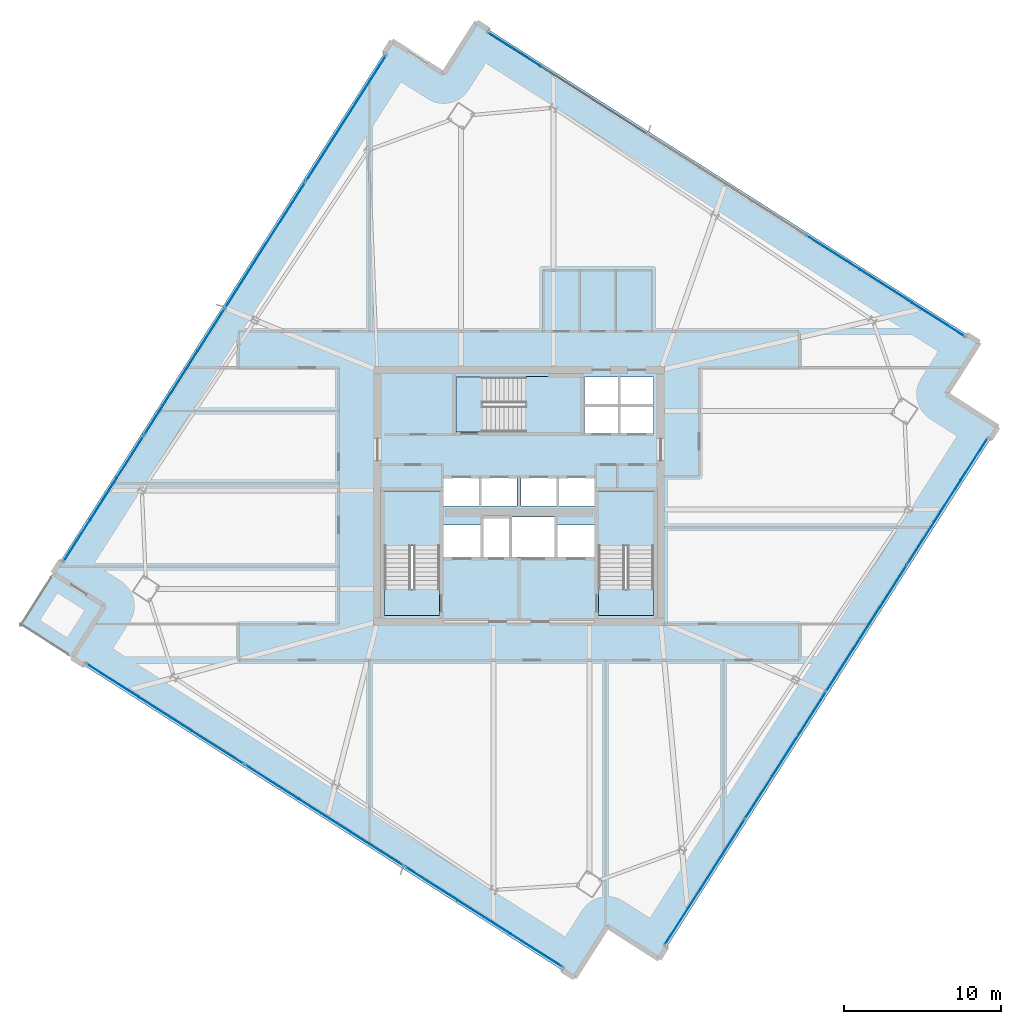
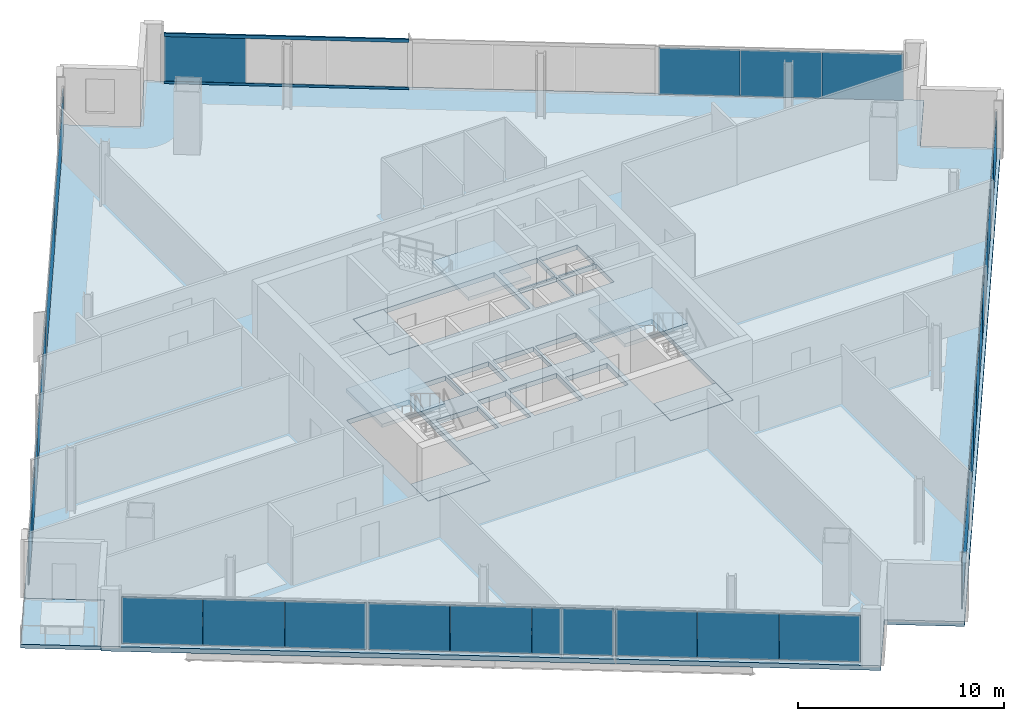
# One storey, part 21 of 30: 31 plates, 8 slabs, 2 members, 7 elements without a shape of their own.
"""IFC4 building model written with IfcOpenShell, lengths in metres."""

from ifc_helpers import new_model, si_unit, direction, frame, origin, origin_2d, place, context, subcontext, project, spatial, polyline, rectangle, hollow_rectangle, outline, extrude, source, transform, mapped, material, layer, layer_set, material_profile, profile_set, type_object, element, aggregate, save


model = new_model("IFC4")

# Units and contexts
model_context = context("Model", 3, precision=1e-05, world=origin(), true_north=direction((0.0, 1.0)))
body_context = subcontext(model_context, "Body", "Model", "MODEL_VIEW")
ifc_project = project(units=[si_unit("LENGTHUNIT", "METRE"), si_unit("AREAUNIT", "SQUARE_METRE"), si_unit("VOLUMEUNIT", "CUBIC_METRE"), si_unit("PLANEANGLEUNIT", "RADIAN"), si_unit("MASSUNIT", "GRAM", prefix="KILO")], contexts=[model_context])

# Site, building, storey
site_placement = place(None, origin())
site = spatial("IfcSite", under=ifc_project, at=site_placement, CompositionType="ELEMENT")
building_placement = place(site_placement, origin())
building = spatial("IfcBuilding", under=site, at=building_placement, Name="Haldenkirk Collegiate Tower", CompositionType="ELEMENT")
storey_placement = place(building_placement, frame((0.0, 0.0, 220.949951171875)))
storey = spatial("IfcBuildingStorey", under=building, at=storey_placement, Name="L55", CompositionType="ELEMENT", Elevation=220.949951171875)

# Curtain wall, members
ifc_material_1 = material(Name="Anodised architectural bronze aluminium", Category="aluminium")
curtain_wall_type_1 = type_object("IfcCurtainWallType", Name="CW-SYS1B-CONVEX-HI", PredefinedType="USERDEFINED", material=ifc_material_1)
curtain_wall_1_placement = place(storey_placement, origin())
curtain_wall_1 = element("IfcCurtainWall", 1, at=curtain_wall_1_placement, inside=storey, type_object=curtain_wall_type_1, Name="L55 Upper tower high-wind convex bronze unitised curtain wall", ObjectType="UNITISED CURTAIN WALL", PredefinedType="USERDEFINED")
ifc_material_profile = material_profile(ifc_material_1, hollow_rectangle(XDim=0.0849609375, YDim=0.199951171875, WallThickness=0.0048828125, at=origin_2d()), Name="CW-TRN-1B")
ifc_profile_set = profile_set([ifc_material_profile], Name="Anodised architectural bronze aluminium")
member_type = type_object("IfcMemberType", Name="CW-TRN-1B", PredefinedType="USERDEFINED", material=ifc_profile_set)
member_1_placement = place(storey_placement, frame((34.0419921875, 55.431396484375, 0.04248046875), z_axis=(0.843387612037, -0.537305626121, 0.0), x_axis=(0.537305626121, 0.843387612037, 0.0)))
member_1 = element("IfcMember", 2, at=member_1_placement, type_object=member_type, Name="CW-1B transom 1.1", ObjectType="TRANSOM", PredefinedType="USERDEFINED", context=body_context, shape_type="SweptSolid", body=[
    extrude(hollow_rectangle(XDim=0.0849609375, YDim=0.199951171875, WallThickness=0.0048828125, at=origin_2d()), origin(), (0.0, 0.0, 1.0), 11.8974609375),
])
member_2_placement = place(storey_placement, frame((34.0419921875, 55.431396484375, 2.885498046875), z_axis=(0.843387612037, -0.537305626121, 0.0), x_axis=(0.537305626121, 0.843387612037, 0.0)))
member_2 = element("IfcMember", 3, at=member_2_placement, type_object=member_type, Name="CW-1B transom 1.2", ObjectType="TRANSOM", PredefinedType="USERDEFINED", context=body_context, shape_type="SweptSolid", body=[
    extrude(hollow_rectangle(XDim=0.0849609375, YDim=0.199951171875, WallThickness=0.0048828125, at=origin_2d()), origin(), (0.0, 0.0, 1.0), 11.8974609375),
])

# Slab
ifc_material_2 = material(Name="Concrete f'c 40 MPa", Category="concrete")
ifc_layer_1 = layer(ifc_material_2, 0.280029296875)
ifc_layer_set_1 = layer_set([ifc_layer_1], Name="Concrete f'c 40 MPa")
slab_type_1 = type_object("IfcSlabType", Name="SLB-FLR-280", PredefinedType="FLOOR", material=ifc_layer_set_1)
slab_1_placement = place(storey_placement, frame((0.0, 0.0, -0.280029296875)))
element("IfcSlab", 4, at=slab_1_placement, inside=storey, type_object=slab_type_1, Name="L55 composite structural floor slab", PredefinedType="FLOOR", context=body_context, shape_type="SweptSolid", body=[
    extrude(outline(polyline([(44.899169921875, -3.4423828125), (66.445068359375, 30.37744140625), (63.15576171875, 32.472900390625), (65.251220703125, 35.76220703125), (33.307861328125, 56.1123046875), (31.21240234375, 52.8232421875), (27.923095703125, 54.918701171875), (6.377197265625, 21.0986328125), (9.66650390625, 19.003173828125), (7.571044921875, 15.714111328125), (39.5146484375, -4.63623046875), (41.610107421875, -1.346923828125), (44.899169921875, -3.4423828125)]), holes=[polyline([(27.449951171875, 18.39990234375), (30.949951171875, 18.39990234375), (30.949951171875, 26.300048828125), (27.449951171875, 26.300048828125), (27.449951171875, 18.39990234375)]), polyline([(41.050048828125, 18.39990234375), (44.550048828125, 18.39990234375), (44.550048828125, 26.300048828125), (41.050048828125, 26.300048828125), (41.050048828125, 18.39990234375)]), polyline([(32.0, 30.050048828125), (39.89990234375, 30.050048828125), (39.89990234375, 33.550048828125), (32.0, 33.550048828125), (32.0, 30.050048828125)]), polyline([(33.75, 22.10009765625), (35.35009765625, 22.10009765625), (35.35009765625, 24.550048828125), (33.75, 24.550048828125), (33.75, 22.10009765625)]), polyline([(40.14990234375, 29.949951171875), (42.320068359375, 29.949951171875), (42.320068359375, 31.699951171875), (40.14990234375, 31.699951171875), (40.14990234375, 29.949951171875)]), polyline([(42.419921875, 29.949951171875), (44.550048828125, 29.949951171875), (44.550048828125, 31.699951171875), (42.419921875, 31.699951171875), (42.419921875, 29.949951171875)]), polyline([(40.14990234375, 31.800048828125), (42.320068359375, 31.800048828125), (42.320068359375, 33.550048828125), (40.14990234375, 33.550048828125), (40.14990234375, 31.800048828125)]), polyline([(42.419921875, 31.800048828125), (44.550048828125, 31.800048828125), (44.550048828125, 33.550048828125), (42.419921875, 33.550048828125), (42.419921875, 31.800048828125)]), polyline([(31.199951171875, 25.35009765625), (33.47998046875, 25.35009765625), (33.47998046875, 27.14990234375), (31.199951171875, 27.14990234375), (31.199951171875, 25.35009765625)]), polyline([(33.60009765625, 25.35009765625), (35.8798828125, 25.35009765625), (35.8798828125, 27.14990234375), (33.60009765625, 27.14990234375), (33.60009765625, 25.35009765625)]), polyline([(36.1201171875, 25.35009765625), (38.39990234375, 25.35009765625), (38.39990234375, 27.14990234375), (36.1201171875, 27.14990234375), (36.1201171875, 25.35009765625)]), polyline([(38.52001953125, 25.35009765625), (40.800048828125, 25.35009765625), (40.800048828125, 27.14990234375), (38.52001953125, 27.14990234375), (38.52001953125, 25.35009765625)]), polyline([(31.199951171875, 22.10009765625), (33.550048828125, 22.10009765625), (33.550048828125, 24.14990234375), (31.199951171875, 24.14990234375), (31.199951171875, 22.10009765625)]), polyline([(38.449951171875, 22.10009765625), (40.800048828125, 22.10009765625), (40.800048828125, 24.14990234375), (38.449951171875, 24.14990234375), (38.449951171875, 22.10009765625)]), polyline([(35.550048828125, 22.10009765625), (38.25, 22.10009765625), (38.25, 24.64990234375), (35.550048828125, 24.64990234375), (35.550048828125, 22.10009765625)])]), origin(), (0.0, 0.0, 1.0), 0.280029296875),
])

# Stair, slab
stair_type = type_object("IfcStairType", Name="STR-DOGLEG-1650", PredefinedType="HALF_TURN_STAIR", material=ifc_material_2)
stair_1_placement = place(storey_placement, origin())
stair_1 = element("IfcStair", 5, at=stair_1_placement, inside=storey, type_object=stair_type, Name="L55 Core Exit Stair ST-1", PredefinedType="HALF_TURN_STAIR")
ifc_layer_2 = layer(ifc_material_2, 0.199951171875)
ifc_layer_set_2 = layer_set([ifc_layer_2], Name="Concrete f'c 40 MPa")
slab_type_2 = type_object("IfcSlabType", Name="SLB-LANDING-200", PredefinedType="LANDING", material=ifc_layer_set_2)
slab_2_placement = place(storey_placement, frame((0.0, 0.0, 1.675048828125)))
slab_2 = element("IfcSlab", 6, at=slab_2_placement, type_object=slab_type_2, Name="ST-1 landing 1", PredefinedType="LANDING", context=body_context, shape_type="SweptSolid", body=[
    extrude(outline(polyline([(30.97509765625, 22.824951171875), (27.425048828125, 22.824951171875), (27.425048828125, 26.324951171875), (30.97509765625, 26.324951171875), (30.97509765625, 22.824951171875)])), origin(), (0.0, 0.0, 1.0), 0.199951171875),
])
aggregate(stair_1, [slab_2])

stair_2_placement = place(storey_placement, origin())
stair_2 = element("IfcStair", 7, at=stair_2_placement, inside=storey, type_object=stair_type, Name="L55 Core Exit Stair ST-2", PredefinedType="HALF_TURN_STAIR")
slab_3_placement = place(storey_placement, frame((0.0, 0.0, 1.675048828125)))
slab_3 = element("IfcSlab", 8, at=slab_3_placement, type_object=slab_type_2, Name="ST-2 landing 1", PredefinedType="LANDING", context=body_context, shape_type="SweptSolid", body=[
    extrude(outline(polyline([(44.574951171875, 22.824951171875), (41.02490234375, 22.824951171875), (41.02490234375, 26.324951171875), (44.574951171875, 26.324951171875), (44.574951171875, 22.824951171875)])), origin(), (0.0, 0.0, 1.0), 0.199951171875),
])
aggregate(stair_2, [slab_3])

stair_3_placement = place(storey_placement, origin())
stair_3 = element("IfcStair", 9, at=stair_3_placement, inside=storey, type_object=stair_type, Name="L55 Core Exit Stair ST-3", PredefinedType="HALF_TURN_STAIR")
slab_4_placement = place(storey_placement, frame((0.0, 0.0, 1.675048828125)))
slab_4 = element("IfcSlab", 10, at=slab_4_placement, type_object=slab_type_2, Name="ST-3 landing 1", PredefinedType="LANDING", context=body_context, shape_type="SweptSolid", body=[
    extrude(outline(polyline([(36.425048828125, 30.02490234375), (36.425048828125, 33.574951171875), (39.925048828125, 33.574951171875), (39.925048828125, 30.02490234375), (36.425048828125, 30.02490234375)])), origin(), (0.0, 0.0, 1.0), 0.199951171875),
])
aggregate(stair_3, [slab_4])

# Slabs
ifc_layer_3 = layer(ifc_material_2, 0.25)
ifc_layer_set_3 = layer_set([ifc_layer_3], Name="Concrete f'c 40 MPa")
slab_type_3 = type_object("IfcSlabType", Name="SLB-STAIRLAND-250", PredefinedType="LANDING", material=ifc_layer_set_3)
slab_5_placement = place(storey_placement, frame((0.0, 0.0, -0.25)))
element("IfcSlab", 11, at=slab_5_placement, inside=storey, type_object=slab_type_3, Name="L55 stair ST1 structural floor landing slab", PredefinedType="LANDING", context=body_context, shape_type="SweptSolid", body=[
    extrude(outline(polyline([(27.4599609375, 18.409912109375), (30.93994140625, 18.409912109375), (30.93994140625, 20.080078125), (27.4599609375, 20.080078125), (27.4599609375, 18.409912109375)])), origin(), (0.0, 0.0, 1.0), 0.25),
])
slab_6_placement = place(storey_placement, frame((0.0, 0.0, -0.25)))
element("IfcSlab", 12, at=slab_6_placement, inside=storey, type_object=slab_type_3, Name="L55 stair ST2 structural floor landing slab", PredefinedType="LANDING", context=body_context, shape_type="SweptSolid", body=[
    extrude(outline(polyline([(41.06005859375, 18.409912109375), (44.5400390625, 18.409912109375), (44.5400390625, 20.080078125), (41.06005859375, 20.080078125), (41.06005859375, 18.409912109375)])), origin(), (0.0, 0.0, 1.0), 0.25),
])
slab_7_placement = place(storey_placement, frame((0.0, 0.0, -0.25)))
element("IfcSlab", 13, at=slab_7_placement, inside=storey, type_object=slab_type_3, Name="L55 stair ST3 structural floor landing slab", PredefinedType="LANDING", context=body_context, shape_type="SweptSolid", body=[
    extrude(outline(polyline([(32.010009765625, 30.06005859375), (33.679931640625, 30.06005859375), (33.679931640625, 33.5400390625), (32.010009765625, 33.5400390625), (32.010009765625, 30.06005859375)])), origin(), (0.0, 0.0, 1.0), 0.25),
])
ifc_layer_4 = layer(ifc_material_2, 0.22998046875)
ifc_layer_set_4 = layer_set([ifc_layer_4], Name="Concrete f'c 40 MPa")
slab_type_4 = type_object("IfcSlabType", Name="SLB-TERR-SPIRAL-230", PredefinedType="FLOOR", material=ifc_layer_set_4)
slab_8_placement = place(storey_placement, frame((0.0, 0.0, -0.22998046875)))
element("IfcSlab", 14, at=slab_8_placement, inside=storey, type_object=slab_type_4, Name="L55 spiralling corner terrace slab", PredefinedType="FLOOR", context=body_context, shape_type="SweptSolid", body=[
    extrude(outline(polyline([(7.571044921875, 15.714111328125), (9.66650390625, 19.003173828125), (6.377197265625, 21.0986328125), (4.281982421875, 17.809326171875), (7.571044921875, 15.714111328125)])), origin(), (0.0, 0.0, 1.0), 0.22998046875),
])

# Curtain wall, plates
curtain_wall_type_2 = type_object("IfcCurtainWallType", Name="CW-SYS2-CONCAVE", PredefinedType="USERDEFINED", material=ifc_material_1)
curtain_wall_2_placement = place(storey_placement, origin())
curtain_wall_2 = element("IfcCurtainWall", 15, at=curtain_wall_2_placement, inside=storey, type_object=curtain_wall_type_2, Name="L55 South concave recessed bronze-anodised curtain wall", ObjectType="UNITISED CURTAIN WALL", PredefinedType="USERDEFINED")
ifc_material_3 = material(Name="Low-E argon triple insulating glass", Category="glass")
ifc_layer_5 = layer(ifc_material_3, 0.0419921875)
ifc_layer_set_5 = layer_set([ifc_layer_5], Name="Low-E argon triple insulating glass")
plate_type_1 = type_object("IfcPlateType", Name="CW-PNL-02", PredefinedType="CURTAIN_PANEL", material=ifc_layer_set_5)
shared_shape_1 = source(origin(), body_context, "Body", "SweptSolid", [
    extrude(rectangle(XDim=3.1416015625, YDim=0.0419921875, at=origin_2d()), origin(), (0.0, 0.0, 1.0), 2.778076171875),
])
plate_1_placement = place(storey_placement, frame((64.92529296875, 28.326904296875, 0.0751953125), z_axis=(0.0, 0.0, 1.0), x_axis=(-0.5373011656, -0.843390453731, 0.0)))
plate_1 = element("IfcPlate", 16, at=plate_1_placement, type_object=plate_type_1, Name="CW-02 panel 1.1a", PredefinedType="CURTAIN_PANEL", context=body_context, shape_type="MappedRepresentation", body=[
    mapped(shared_shape_1, transform((0.0, 0.0, 0.0), x_axis=(1.0, 0.0, 0.0), y_axis=(0.0, 1.0, 0.0), z_axis=(0.0, 0.0, 1.0), scale=1.0)),
])
ifc_material_4 = material(Name="Bronze-anodised insulated aluminium spandrel panel", Category="aluminium")
ifc_layer_6 = layer(ifc_material_4, 0.0419921875)
ifc_layer_set_6 = layer_set([ifc_layer_6], Name="Bronze-anodised insulated aluminium spandrel panel")
plate_type_2 = type_object("IfcPlateType", Name="CW-SPD-02", PredefinedType="CURTAIN_PANEL", material=ifc_layer_set_6)
plate_2_placement = place(storey_placement, frame((61.529052734375, 22.99609375, 0.0751953125), z_axis=(0.0, 0.0, 1.0), x_axis=(-0.5373011656, -0.843390453731, 0.0)))
plate_2 = element("IfcPlate", 17, at=plate_2_placement, type_object=plate_type_2, Name="CW-02 spandrel panel 1.1c", PredefinedType="CURTAIN_PANEL", context=body_context, shape_type="MappedRepresentation", body=[
    mapped(shared_shape_1, transform((0.0, 0.0, 0.0), x_axis=(1.0, 0.0, 0.0), y_axis=(0.0, 1.0, 0.0), z_axis=(0.0, 0.0, 1.0), scale=1.0)),
])
plate_3_placement = place(storey_placement, frame((58.092529296875, 17.601806640625, 0.0751953125), z_axis=(0.0, 0.0, 1.0), x_axis=(-0.5373011656, -0.843390453731, 0.0)))
plate_3 = element("IfcPlate", 18, at=plate_3_placement, type_object=plate_type_1, Name="CW-02 panel 2.1b", PredefinedType="CURTAIN_PANEL", context=body_context, shape_type="MappedRepresentation", body=[
    mapped(shared_shape_1, transform((0.0, 0.0, 0.0), x_axis=(1.0, 0.0, 0.0), y_axis=(0.0, 1.0, 0.0), z_axis=(0.0, 0.0, 1.0), scale=1.0)),
])
plate_4_placement = place(storey_placement, frame((52.947998046875, 9.526611328125, 0.0751953125), z_axis=(0.0, 0.0, 1.0), x_axis=(-0.5373011656, -0.843390453731, 0.0)))
plate_4 = element("IfcPlate", 19, at=plate_4_placement, type_object=plate_type_2, Name="CW-02 spandrel panel 3.1b", PredefinedType="CURTAIN_PANEL", context=body_context, shape_type="MappedRepresentation", body=[
    mapped(shared_shape_1, transform((0.0, 0.0, 0.0), x_axis=(1.0, 0.0, 0.0), y_axis=(0.0, 1.0, 0.0), z_axis=(0.0, 0.0, 1.0), scale=1.0)),
])
shared_shape_2 = source(origin(), body_context, "Body", "SweptSolid", [
    extrude(rectangle(XDim=3.129150390625, YDim=0.0419921875, at=origin_2d()), origin(), (0.0, 0.0, 1.0), 2.778076171875),
])
plate_5_placement = place(storey_placement, frame((63.227294921875, 25.66162109375, 0.0751953125), z_axis=(0.0, 0.0, 1.0), x_axis=(-0.5373011656, -0.843390453731, 0.0)))
plate_5 = element("IfcPlate", 20, at=plate_5_placement, type_object=plate_type_1, Name="CW-02 panel 1.1b", PredefinedType="CURTAIN_PANEL", context=body_context, shape_type="MappedRepresentation", body=[
    mapped(shared_shape_2, transform((0.0, 0.0, 0.0), x_axis=(1.0, 0.0, 0.0), y_axis=(0.0, 1.0, 0.0), z_axis=(0.0, 0.0, 1.0), scale=1.0)),
])
shared_shape_3 = source(origin(), body_context, "Body", "SweptSolid", [
    extrude(rectangle(XDim=3.154296875, YDim=0.0419921875, at=origin_2d()), origin(), (0.0, 0.0, 1.0), 2.778076171875),
])
plate_6_placement = place(storey_placement, frame((59.79736328125, 20.27783203125, 0.0751953125), z_axis=(0.0, 0.0, 1.0), x_axis=(-0.5373011656, -0.843390453731, 0.0)))
plate_6 = element("IfcPlate", 21, at=plate_6_placement, type_object=plate_type_2, Name="CW-02 spandrel panel 2.1a", PredefinedType="CURTAIN_PANEL", context=body_context, shape_type="MappedRepresentation", body=[
    mapped(shared_shape_3, transform((0.0, 0.0, 0.0), x_axis=(1.0, 0.0, 0.0), y_axis=(0.0, 1.0, 0.0), z_axis=(0.0, 0.0, 1.0), scale=1.0)),
])
plate_7_placement = place(storey_placement, frame((56.3876953125, 14.92578125, 0.0751953125), z_axis=(0.0, 0.0, 1.0), x_axis=(-0.5373011656, -0.843390453731, 0.0)))
plate_7 = element("IfcPlate", 22, at=plate_7_placement, type_object=plate_type_1, Name="CW-02 panel 2.1c", PredefinedType="CURTAIN_PANEL", context=body_context, shape_type="MappedRepresentation", body=[
    mapped(shared_shape_3, transform((0.0, 0.0, 0.0), x_axis=(1.0, 0.0, 0.0), y_axis=(0.0, 1.0, 0.0), z_axis=(0.0, 0.0, 1.0), scale=1.0)),
])
plate_8_placement = place(storey_placement, frame((54.65283203125, 12.202392578125, 0.0751953125), z_axis=(0.0, 0.0, 1.0), x_axis=(-0.5373011656, -0.843390453731, 0.0)))
plate_8 = element("IfcPlate", 23, at=plate_8_placement, type_object=plate_type_2, Name="CW-02 spandrel panel 3.1a", PredefinedType="CURTAIN_PANEL", context=body_context, shape_type="MappedRepresentation", body=[
    mapped(shared_shape_3, transform((0.0, 0.0, 0.0), x_axis=(1.0, 0.0, 0.0), y_axis=(0.0, 1.0, 0.0), z_axis=(0.0, 0.0, 1.0), scale=1.0)),
])
plate_9_placement = place(storey_placement, frame((51.2431640625, 6.8505859375, 0.0751953125), z_axis=(0.0, 0.0, 1.0), x_axis=(-0.5373011656, -0.843390453731, 0.0)))
plate_9 = element("IfcPlate", 24, at=plate_9_placement, type_object=plate_type_2, Name="CW-02 spandrel panel 3.1c", PredefinedType="CURTAIN_PANEL", context=body_context, shape_type="MappedRepresentation", body=[
    mapped(shared_shape_3, transform((0.0, 0.0, 0.0), x_axis=(1.0, 0.0, 0.0), y_axis=(0.0, 1.0, 0.0), z_axis=(0.0, 0.0, 1.0), scale=1.0)),
])
shared_shape_4 = source(origin(), body_context, "Body", "SweptSolid", [
    extrude(rectangle(XDim=9.46240234375, YDim=0.0419921875, at=origin_2d()), origin(), (0.0, 0.0, 1.0), 2.778076171875),
])
plate_10_placement = place(storey_placement, frame((47.8134765625, 1.466796875, 0.0751953125), z_axis=(0.0, 0.0, 1.0), x_axis=(-0.5373011656, -0.843390453731, 0.0)))
plate_10 = element("IfcPlate", 25, at=plate_10_placement, type_object=plate_type_1, Name="CW-02 panel 4.1", PredefinedType="CURTAIN_PANEL", context=body_context, shape_type="MappedRepresentation", body=[
    mapped(shared_shape_4, transform((0.0, 0.0, 0.0), x_axis=(1.0, 0.0, 0.0), y_axis=(0.0, 1.0, 0.0), z_axis=(0.0, 0.0, 1.0), scale=1.0)),
])
aggregate(curtain_wall_2, [plate_1, plate_5, plate_2, plate_6, plate_3, plate_7, plate_8, plate_4, plate_9, plate_10])

# Plate
ifc_layer_7 = layer(ifc_material_3, 0.048095703125)
ifc_layer_set_7 = layer_set([ifc_layer_7], Name="Low-E argon triple insulating glass")
plate_type_3 = type_object("IfcPlateType", Name="CW-PNL-1B", PredefinedType="CURTAIN_PANEL", material=ifc_layer_set_7)
shared_shape_5 = source(origin(), body_context, "Body", "SweptSolid", [
    extrude(rectangle(XDim=3.953369140625, YDim=0.048095703125, at=origin_2d()), origin(), (0.0, 0.0, 1.0), 2.758056640625),
])
plate_11_placement = place(storey_placement, frame((35.708984375, 54.369384765625, 0.0849609375), z_axis=(0.0, 0.0, 1.0), x_axis=(0.843391321447, -0.537299803563, 0.0)))
plate_11 = element("IfcPlate", 26, at=plate_11_placement, type_object=plate_type_3, Name="CW-1B panel 1.1a", PredefinedType="CURTAIN_PANEL", context=body_context, shape_type="MappedRepresentation", body=[
    mapped(shared_shape_5, transform((0.0, 0.0, 0.0), x_axis=(1.0, 0.0, 0.0), y_axis=(0.0, 1.0, 0.0), z_axis=(0.0, 0.0, 1.0), scale=1.0)),
])

ifc_layer_8 = layer(ifc_material_4, 0.048095703125)
ifc_layer_set_8 = layer_set([ifc_layer_8], Name="Bronze-anodised insulated aluminium spandrel panel")
plate_type_4 = type_object("IfcPlateType", Name="CW-SPD-1B", PredefinedType="CURTAIN_PANEL", material=ifc_layer_set_8)
plate_12_placement = place(storey_placement, frame((55.95654296875, 41.47021484375, 0.0849609375), z_axis=(0.0, 0.0, 1.0), x_axis=(0.843391321447, -0.537299803563, 0.0)))
plate_12 = element("IfcPlate", 27, at=plate_12_placement, type_object=plate_type_4, Name="CW-1B spandrel panel 3.1a", PredefinedType="CURTAIN_PANEL", context=body_context, shape_type="MappedRepresentation", body=[
    mapped(shared_shape_5, transform((0.0, 0.0, 0.0), x_axis=(1.0, 0.0, 0.0), y_axis=(0.0, 1.0, 0.0), z_axis=(0.0, 0.0, 1.0), scale=1.0)),
])

plate_13_placement = place(storey_placement, frame((62.656494140625, 37.20166015625, 0.0849609375), z_axis=(0.0, 0.0, 1.0), x_axis=(0.843391321447, -0.537299803563, 0.0)))
plate_13 = element("IfcPlate", 28, at=plate_13_placement, type_object=plate_type_3, Name="CW-1B panel 3.1c", PredefinedType="CURTAIN_PANEL", context=body_context, shape_type="MappedRepresentation", body=[
    mapped(shared_shape_5, transform((0.0, 0.0, 0.0), x_axis=(1.0, 0.0, 0.0), y_axis=(0.0, 1.0, 0.0), z_axis=(0.0, 0.0, 1.0), scale=1.0)),
])

# Curtain wall, plates
curtain_wall_3_placement = place(storey_placement, origin())
curtain_wall_3 = element("IfcCurtainWall", 29, at=curtain_wall_3_placement, inside=storey, type_object=curtain_wall_type_1, Name="L55 Upper tower high-wind convex bronze unitised curtain wall", ObjectType="UNITISED CURTAIN WALL", PredefinedType="USERDEFINED")
plate_14_placement = place(storey_placement, frame((37.11328125, -2.893310546875, 0.0849609375), z_axis=(0.0, 0.0, 1.0), x_axis=(-0.843390865552, 0.537300519173, 0.0)))
plate_14 = element("IfcPlate", 30, at=plate_14_placement, type_object=plate_type_3, Name="CW-1B panel 1.1a", PredefinedType="CURTAIN_PANEL", context=body_context, shape_type="MappedRepresentation", body=[
    mapped(shared_shape_5, transform((0.0, 0.0, 0.0), x_axis=(1.0, 0.0, 0.0), y_axis=(0.0, 1.0, 0.0), z_axis=(0.0, 0.0, 1.0), scale=1.0)),
])
plate_15_placement = place(storey_placement, frame((30.413330078125, 1.375244140625, 0.0849609375), z_axis=(0.0, 0.0, 1.0), x_axis=(-0.843390865552, 0.537300519173, 0.0)))
plate_15 = element("IfcPlate", 31, at=plate_15_placement, type_object=plate_type_4, Name="CW-1B spandrel panel 1.1c", PredefinedType="CURTAIN_PANEL", context=body_context, shape_type="MappedRepresentation", body=[
    mapped(shared_shape_5, transform((0.0, 0.0, 0.0), x_axis=(1.0, 0.0, 0.0), y_axis=(0.0, 1.0, 0.0), z_axis=(0.0, 0.0, 1.0), scale=1.0)),
])
plate_16_placement = place(storey_placement, frame((16.86572265625, 10.006103515625, 0.0849609375), z_axis=(0.0, 0.0, 1.0), x_axis=(-0.843390865552, 0.537300519173, 0.0)))
plate_16 = element("IfcPlate", 32, at=plate_16_placement, type_object=plate_type_4, Name="CW-1B spandrel panel 3.1a", PredefinedType="CURTAIN_PANEL", context=body_context, shape_type="MappedRepresentation", body=[
    mapped(shared_shape_5, transform((0.0, 0.0, 0.0), x_axis=(1.0, 0.0, 0.0), y_axis=(0.0, 1.0, 0.0), z_axis=(0.0, 0.0, 1.0), scale=1.0)),
])
plate_17_placement = place(storey_placement, frame((10.165771484375, 14.2744140625, 0.0849609375), z_axis=(0.0, 0.0, 1.0), x_axis=(-0.843390865552, 0.537300519173, 0.0)))
plate_17 = element("IfcPlate", 33, at=plate_17_placement, type_object=plate_type_3, Name="CW-1B panel 3.1c", PredefinedType="CURTAIN_PANEL", context=body_context, shape_type="MappedRepresentation", body=[
    mapped(shared_shape_5, transform((0.0, 0.0, 0.0), x_axis=(1.0, 0.0, 0.0), y_axis=(0.0, 1.0, 0.0), z_axis=(0.0, 0.0, 1.0), scale=1.0)),
])

# Plate
shared_shape_6 = source(origin(), body_context, "Body", "SweptSolid", [
    extrude(rectangle(XDim=3.94091796875, YDim=0.048095703125, at=origin_2d()), origin(), (0.0, 0.0, 1.0), 2.758056640625),
])
plate_18_placement = place(storey_placement, frame((59.306640625, 39.3359375, 0.0849609375), z_axis=(0.0, 0.0, 1.0), x_axis=(0.843391321447, -0.537299803563, 0.0)))
plate_18 = element("IfcPlate", 34, at=plate_18_placement, type_object=plate_type_3, Name="CW-1B panel 3.1b", PredefinedType="CURTAIN_PANEL", context=body_context, shape_type="MappedRepresentation", body=[
    mapped(shared_shape_6, transform((0.0, 0.0, 0.0), x_axis=(1.0, 0.0, 0.0), y_axis=(0.0, 1.0, 0.0), z_axis=(0.0, 0.0, 1.0), scale=1.0)),
])

aggregate(curtain_wall_1, [member_1, member_2, plate_11, plate_12, plate_18, plate_13])

plate_19_placement = place(storey_placement, frame((33.763427734375, -0.759033203125, 0.0849609375), z_axis=(0.0, 0.0, 1.0), x_axis=(-0.843390865552, 0.537300519173, 0.0)))
plate_19 = element("IfcPlate", 35, at=plate_19_placement, type_object=plate_type_4, Name="CW-1B spandrel panel 1.1b", PredefinedType="CURTAIN_PANEL", context=body_context, shape_type="MappedRepresentation", body=[
    mapped(shared_shape_6, transform((0.0, 0.0, 0.0), x_axis=(1.0, 0.0, 0.0), y_axis=(0.0, 1.0, 0.0), z_axis=(0.0, 0.0, 1.0), scale=1.0)),
])

plate_20_placement = place(storey_placement, frame((13.515625, 12.140380859375, 0.0849609375), z_axis=(0.0, 0.0, 1.0), x_axis=(-0.843390865552, 0.537300519173, 0.0)))
plate_20 = element("IfcPlate", 36, at=plate_20_placement, type_object=plate_type_3, Name="CW-1B panel 3.1b", PredefinedType="CURTAIN_PANEL", context=body_context, shape_type="MappedRepresentation", body=[
    mapped(shared_shape_6, transform((0.0, 0.0, 0.0), x_axis=(1.0, 0.0, 0.0), y_axis=(0.0, 1.0, 0.0), z_axis=(0.0, 0.0, 1.0), scale=1.0)),
])

shared_shape_7 = source(origin(), body_context, "Body", "SweptSolid", [
    extrude(rectangle(XDim=3.967529296875, YDim=0.048095703125, at=origin_2d()), origin(), (0.0, 0.0, 1.0), 2.758056640625),
])
plate_21_placement = place(storey_placement, frame((27.00146484375, 3.548828125, 0.0849609375), z_axis=(0.0, 0.0, 1.0), x_axis=(-0.843390865552, 0.537300519173, 0.0)))
plate_21 = element("IfcPlate", 37, at=plate_21_placement, type_object=plate_type_3, Name="CW-1B panel 2.1a", PredefinedType="CURTAIN_PANEL", context=body_context, shape_type="MappedRepresentation", body=[
    mapped(shared_shape_7, transform((0.0, 0.0, 0.0), x_axis=(1.0, 0.0, 0.0), y_axis=(0.0, 1.0, 0.0), z_axis=(0.0, 0.0, 1.0), scale=1.0)),
])

plate_22_placement = place(storey_placement, frame((20.277587890625, 7.83251953125, 0.0849609375), z_axis=(0.0, 0.0, 1.0), x_axis=(-0.843390865552, 0.537300519173, 0.0)))
plate_22 = element("IfcPlate", 38, at=plate_22_placement, type_object=plate_type_4, Name="CW-1B spandrel panel 2.1c", PredefinedType="CURTAIN_PANEL", context=body_context, shape_type="MappedRepresentation", body=[
    mapped(shared_shape_7, transform((0.0, 0.0, 0.0), x_axis=(1.0, 0.0, 0.0), y_axis=(0.0, 1.0, 0.0), z_axis=(0.0, 0.0, 1.0), scale=1.0)),
])

shared_shape_8 = source(origin(), body_context, "Body", "SweptSolid", [
    extrude(rectangle(XDim=3.955078125, YDim=0.048095703125, at=origin_2d()), origin(), (0.0, 0.0, 1.0), 2.758056640625),
])
plate_23_placement = place(storey_placement, frame((23.6396484375, 5.690673828125, 0.0849609375), z_axis=(0.0, 0.0, 1.0), x_axis=(-0.843390865552, 0.537300519173, 0.0)))
plate_23 = element("IfcPlate", 39, at=plate_23_placement, type_object=plate_type_4, Name="CW-1B spandrel panel 2.1b", PredefinedType="CURTAIN_PANEL", context=body_context, shape_type="MappedRepresentation", body=[
    mapped(shared_shape_8, transform((0.0, 0.0, 0.0), x_axis=(1.0, 0.0, 0.0), y_axis=(0.0, 1.0, 0.0), z_axis=(0.0, 0.0, 1.0), scale=1.0)),
])

aggregate(curtain_wall_3, [plate_14, plate_19, plate_15, plate_21, plate_23, plate_22, plate_16, plate_20, plate_17])

# Curtain wall, plates
curtain_wall_4_placement = place(storey_placement, origin())
curtain_wall_4 = element("IfcCurtainWall", 40, at=curtain_wall_4_placement, inside=storey, type_object=curtain_wall_type_1, Name="L55 Upper tower high-wind convex bronze unitised curtain wall", ObjectType="UNITISED CURTAIN WALL", PredefinedType="USERDEFINED")
shared_shape_9 = source(origin(), body_context, "Body", "SweptSolid", [
    extrude(rectangle(XDim=3.13671875, YDim=0.048095703125, at=origin_2d()), origin(), (0.0, 0.0, 1.0), 2.758056640625),
])
plate_24_placement = place(storey_placement, frame((7.90087890625, 23.155517578125, 0.0849609375), z_axis=(0.0, 0.0, 1.0), x_axis=(0.5373011656, 0.843390453731, 0.0)))
plate_24 = element("IfcPlate", 41, at=plate_24_placement, type_object=plate_type_3, Name="CW-1B panel 1.1a", PredefinedType="CURTAIN_PANEL", context=body_context, shape_type="MappedRepresentation", body=[
    mapped(shared_shape_9, transform((0.0, 0.0, 0.0), x_axis=(1.0, 0.0, 0.0), y_axis=(0.0, 1.0, 0.0), z_axis=(0.0, 0.0, 1.0), scale=1.0)),
])
plate_25_placement = place(storey_placement, frame((11.291748046875, 28.477783203125, 0.0849609375), z_axis=(0.0, 0.0, 1.0), x_axis=(0.5373011656, 0.843390453731, 0.0)))
plate_25 = element("IfcPlate", 42, at=plate_25_placement, type_object=plate_type_4, Name="CW-1B spandrel panel 1.1c", PredefinedType="CURTAIN_PANEL", context=body_context, shape_type="MappedRepresentation", body=[
    mapped(shared_shape_9, transform((0.0, 0.0, 0.0), x_axis=(1.0, 0.0, 0.0), y_axis=(0.0, 1.0, 0.0), z_axis=(0.0, 0.0, 1.0), scale=1.0)),
])
shared_shape_10 = source(origin(), body_context, "Body", "SweptSolid", [
    extrude(rectangle(XDim=3.124267578125, YDim=0.048095703125, at=origin_2d()), origin(), (0.0, 0.0, 1.0), 2.758056640625),
])
plate_26_placement = place(storey_placement, frame((9.596435546875, 25.816650390625, 0.0849609375), z_axis=(0.0, 0.0, 1.0), x_axis=(0.5373011656, 0.843390453731, 0.0)))
plate_26 = element("IfcPlate", 43, at=plate_26_placement, type_object=plate_type_3, Name="CW-1B panel 1.1b", PredefinedType="CURTAIN_PANEL", context=body_context, shape_type="MappedRepresentation", body=[
    mapped(shared_shape_10, transform((0.0, 0.0, 0.0), x_axis=(1.0, 0.0, 0.0), y_axis=(0.0, 1.0, 0.0), z_axis=(0.0, 0.0, 1.0), scale=1.0)),
])
shared_shape_11 = source(origin(), body_context, "Body", "SweptSolid", [
    extrude(rectangle(XDim=3.15087890625, YDim=0.048095703125, at=origin_2d()), origin(), (0.0, 0.0, 1.0), 2.758056640625),
])
plate_27_placement = place(storey_placement, frame((13.026611328125, 31.200927734375, 0.0849609375), z_axis=(0.0, 0.0, 1.0), x_axis=(0.5373011656, 0.843390453731, 0.0)))
plate_27 = element("IfcPlate", 44, at=plate_27_placement, type_object=plate_type_4, Name="CW-1B spandrel panel 2.1a", PredefinedType="CURTAIN_PANEL", context=body_context, shape_type="MappedRepresentation", body=[
    mapped(shared_shape_11, transform((0.0, 0.0, 0.0), x_axis=(1.0, 0.0, 0.0), y_axis=(0.0, 1.0, 0.0), z_axis=(0.0, 0.0, 1.0), scale=1.0)),
])
plate_28_placement = place(storey_placement, frame((16.4326171875, 36.54736328125, 0.0849609375), z_axis=(0.0, 0.0, 1.0), x_axis=(0.5373011656, 0.843390453731, 0.0)))
plate_28 = element("IfcPlate", 45, at=plate_28_placement, type_object=plate_type_4, Name="CW-1B spandrel panel 2.1c", PredefinedType="CURTAIN_PANEL", context=body_context, shape_type="MappedRepresentation", body=[
    mapped(shared_shape_11, transform((0.0, 0.0, 0.0), x_axis=(1.0, 0.0, 0.0), y_axis=(0.0, 1.0, 0.0), z_axis=(0.0, 0.0, 1.0), scale=1.0)),
])
shared_shape_12 = source(origin(), body_context, "Body", "SweptSolid", [
    extrude(rectangle(XDim=3.13818359375, YDim=0.048095703125, at=origin_2d()), origin(), (0.0, 0.0, 1.0), 2.758056640625),
])
plate_29_placement = place(storey_placement, frame((14.729736328125, 33.874267578125, 0.0849609375), z_axis=(0.0, 0.0, 1.0), x_axis=(0.5373011656, 0.843390453731, 0.0)))
plate_29 = element("IfcPlate", 46, at=plate_29_placement, type_object=plate_type_4, Name="CW-1B spandrel panel 2.1b", PredefinedType="CURTAIN_PANEL", context=body_context, shape_type="MappedRepresentation", body=[
    mapped(shared_shape_12, transform((0.0, 0.0, 0.0), x_axis=(1.0, 0.0, 0.0), y_axis=(0.0, 1.0, 0.0), z_axis=(0.0, 0.0, 1.0), scale=1.0)),
])
shared_shape_13 = source(origin(), body_context, "Body", "SweptSolid", [
    extrude(rectangle(XDim=9.489990234375, YDim=0.048095703125, at=origin_2d()), origin(), (0.0, 0.0, 1.0), 2.758056640625),
])
plate_30_placement = place(storey_placement, frame((19.874267578125, 41.94970703125, 0.0849609375), z_axis=(0.0, 0.0, 1.0), x_axis=(0.5373011656, 0.843390453731, 0.0)))
plate_30 = element("IfcPlate", 47, at=plate_30_placement, type_object=plate_type_3, Name="CW-1B panel 3.1", PredefinedType="CURTAIN_PANEL", context=body_context, shape_type="MappedRepresentation", body=[
    mapped(shared_shape_13, transform((0.0, 0.0, 0.0), x_axis=(1.0, 0.0, 0.0), y_axis=(0.0, 1.0, 0.0), z_axis=(0.0, 0.0, 1.0), scale=1.0)),
])
shared_shape_14 = source(origin(), body_context, "Body", "SweptSolid", [
    extrude(rectangle(XDim=9.447509765625, YDim=0.048095703125, at=origin_2d()), origin(), (0.0, 0.0, 1.0), 2.758056640625),
])
plate_31_placement = place(storey_placement, frame((25.007568359375, 50.007080078125, 0.0849609375), z_axis=(0.0, 0.0, 1.0), x_axis=(0.5373011656, 0.843390453731, 0.0)))
plate_31 = element("IfcPlate", 48, at=plate_31_placement, type_object=plate_type_3, Name="CW-1B panel 4.1", PredefinedType="CURTAIN_PANEL", context=body_context, shape_type="MappedRepresentation", body=[
    mapped(shared_shape_14, transform((0.0, 0.0, 0.0), x_axis=(1.0, 0.0, 0.0), y_axis=(0.0, 1.0, 0.0), z_axis=(0.0, 0.0, 1.0), scale=1.0)),
])
aggregate(curtain_wall_4, [plate_24, plate_26, plate_25, plate_27, plate_29, plate_28, plate_30, plate_31])

save(model, "model.ifc")
